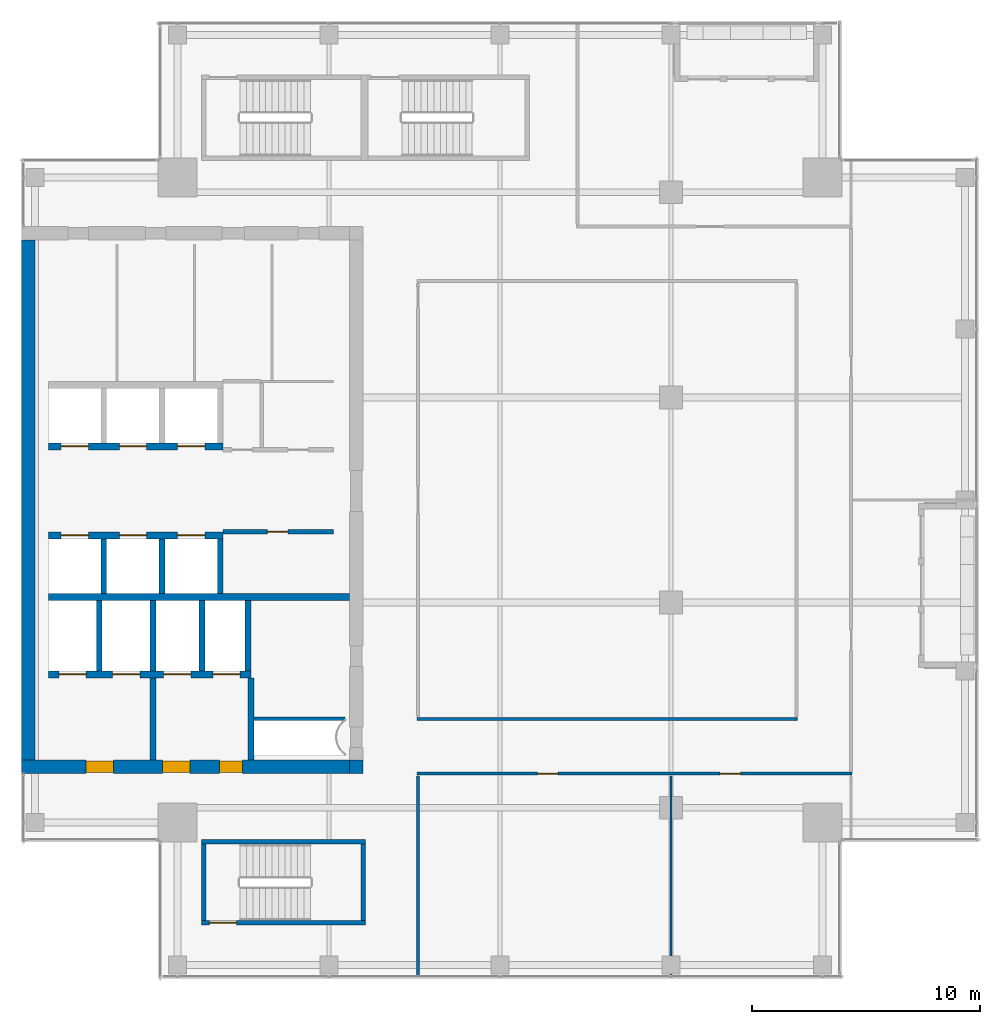
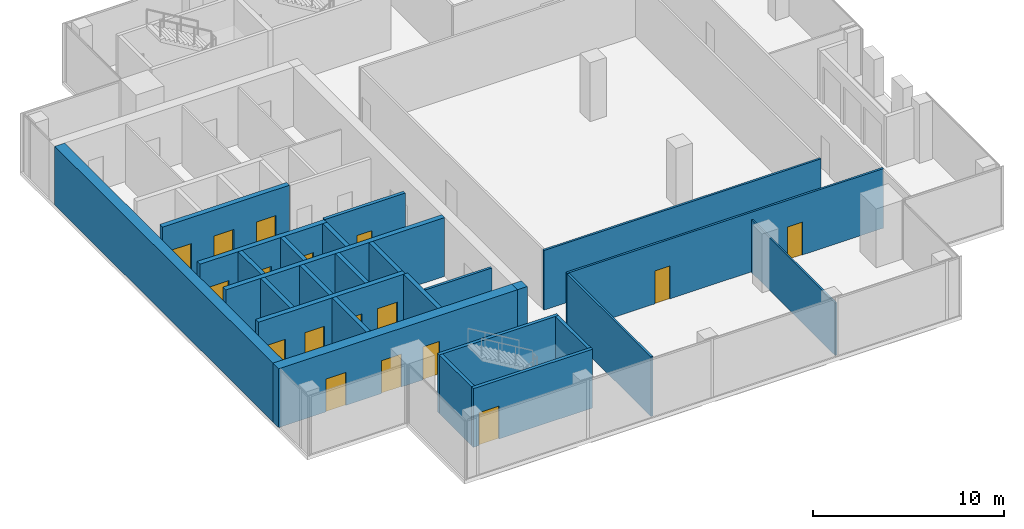
# One storey, part 25 of 29: 26 walls, 17 doors, 17 openings.
"""IFC4 building model written with IfcOpenShell, lengths in metres."""

from ifc_helpers import new_model, si_unit, direction, frame, frame_2d, origin, place, context, subcontext, project, spatial, rectangle, extrude, source, transform, mapped, material, layer, layer_set, type_object, element, fill, save


model = new_model("IFC4")

# Units and contexts
model_context = context("Model", 3, precision=1e-05, world=origin(), true_north=direction((0.0, 1.0)))
body_context = subcontext(model_context, "Body", "Model", "MODEL_VIEW")
ifc_project = project(units=[si_unit("LENGTHUNIT", "METRE"), si_unit("AREAUNIT", "SQUARE_METRE"), si_unit("VOLUMEUNIT", "CUBIC_METRE"), si_unit("PLANEANGLEUNIT", "RADIAN"), si_unit("MASSUNIT", "GRAM", prefix="KILO")], contexts=[model_context])

# Site, building, storey
site_placement = place(None, origin())
site = spatial("IfcSite", under=ifc_project, at=site_placement, CompositionType="ELEMENT")
building_placement = place(site_placement, origin())
building = spatial("IfcBuilding", under=site, at=building_placement, Name="Khomas Fold Tower", CompositionType="ELEMENT")
storey_placement = place(building_placement, frame((0.0, 0.0, 322.199951171875)))
storey = spatial("IfcBuildingStorey", under=building, at=storey_placement, Name="L73", CompositionType="ELEMENT", Elevation=322.199951171875)

# Wall
ifc_material_1 = material(Name="Concrete C50/60", Category="concrete")
ifc_layer_1 = layer(ifc_material_1, 0.199951171875)
ifc_layer_set_1 = layer_set([ifc_layer_1], Name="Concrete C50/60")
wall_type_1 = type_object("IfcWallType", Name="Stair wall 200", PredefinedType="SHEAR", material=ifc_layer_set_1)
shared_shape_1 = source(origin(), body_context, "Body", "SweptSolid", [
    extrude(rectangle(XDim=7.2001953125, YDim=0.199951171875, at=frame_2d((3.60009765625, 0.0))), origin(), (0.0, 0.0, 1.0), 3.75),
])
wall_1_placement = place(storey_placement, frame((13.89990234375, 12.0, 0.0), z_axis=(0.0, 0.0, 1.0), x_axis=(1.0, 0.0, 0.0)))
element("IfcWall", 1, at=wall_1_placement, inside=storey, type_object=wall_type_1, Name="Stair wall SW-ST2-NH", PredefinedType="SHEAR", context=body_context, shape_type="MappedRepresentation", body=[
    mapped(shared_shape_1, transform((0.0, 0.0, 0.0))),
])

# Wall, opening, door
wall_2_placement = place(storey_placement, frame((13.89990234375, 8.449951171875, 0.0), z_axis=(0.0, 0.0, 1.0), x_axis=(1.0, 0.0, 0.0)))
wall_2 = element("IfcWall", 2, at=wall_2_placement, inside=storey, type_object=wall_type_1, Name="Stair wall SW-ST2-S", PredefinedType="SHEAR", context=body_context, shape_type="MappedRepresentation", body=[
    mapped(shared_shape_1, transform((0.0, 0.0, 0.0))),
])
shared_shape_2 = source(origin(), body_context, "Body", "SweptSolid", [
    extrude(rectangle(XDim=1.199951171875, YDim=2.10009765625, at=frame_2d((0.60009765625, 1.050048828125))), frame((0.0, 0.10986328125, 0.0), z_axis=(0.0, -1.0, 0.0), x_axis=(1.0, 0.0, 0.0)), (0.0, 0.0, 1.0), 0.219970703125),
])
opening_1_placement = place(wall_2_placement, frame((0.35009765625, 0.0, 0.0)))
opening_1 = element("IfcOpeningElement", 3, at=opening_1_placement, cuts=wall_2, Name="Opening SD-ST2", PredefinedType="OPENING", context=body_context, shape_type="MappedRepresentation", body=[
    mapped(shared_shape_2, transform((0.0, 0.0, 0.0))),
])
ifc_material_2 = material(Name="Steel door leaf", Category="steel")
door_type_1 = type_object("IfcDoorType", Name="Stair door 1200x2100 right-hand", OperationType="SINGLE_SWING_RIGHT", PredefinedType="DOOR", material=ifc_material_2)
shared_shape_3 = source(origin(), body_context, "Body", "SweptSolid", [
    extrude(rectangle(XDim=1.199951171875, YDim=2.10009765625, at=frame_2d((0.60009765625, 1.050048828125))), frame((0.0, 0.02490234375, 0.0), z_axis=(0.0, -1.0, 0.0), x_axis=(1.0, 0.0, 0.0)), (0.0, 0.0, 1.0), 0.050048828125),
])
door_1_placement = place(opening_1_placement, origin())
door_1 = element("IfcDoor", 4, at=door_1_placement, inside=storey, type_object=door_type_1, Name="Stair door", OperationType="SINGLE_SWING_RIGHT", OverallHeight=2.10009765625, OverallWidth=1.199951171875, PredefinedType="DOOR", context=body_context, shape_type="MappedRepresentation", body=[
    mapped(shared_shape_3, transform((0.0, 0.0, 0.0))),
])
fill(opening_1, door_1)

# Walls
shared_shape_4 = source(origin(), body_context, "Body", "SweptSolid", [
    extrude(rectangle(XDim=3.349853515625, YDim=0.199951171875, at=frame_2d((1.6748046875, 0.0))), origin(), (0.0, 0.0, 1.0), 3.75),
])
for number, where, z_axis, x_axis, name in (
    (5, (21.0, 8.550048828125, 0.0), (0.0, 0.0, 1.0), (0.0, 1.0, 0.0), "Stair wall SW-ST2-E"),
    (6, (14.0, 8.550048828125, 0.0), (0.0, 0.0, 1.0), (0.0, 1.0, 0.0), "Stair wall SW-ST2-W"),
):
    element("IfcWall", number, at=place(storey_placement, frame(where, z_axis=z_axis, x_axis=x_axis)), inside=storey, type_object=wall_type_1, Name=name, PredefinedType="SHEAR", context=body_context, shape_type="MappedRepresentation", body=[
        mapped(shared_shape_4, transform((0.0, 0.0, 0.0))),
    ])
ifc_material_3 = material(Name="Concrete C50/60", Category="concrete")
ifc_layer_2 = layer(ifc_material_3, 0.25)
ifc_layer_set_2 = layer_set([ifc_layer_2], Name="Concrete C50/60")
wall_type_2 = type_object("IfcWallType", Name="Shaft wall 250", PredefinedType="STANDARD", material=ifc_layer_set_2)
shared_shape_5 = source(origin(), body_context, "Body", "SweptSolid", [
    extrude(rectangle(XDim=3.10009765625, YDim=0.25, at=frame_2d((1.550048828125, 0.0))), origin(), (0.0, 0.0, 1.0), 3.75),
])
for number, where, z_axis, x_axis, name in (
    (7, (9.425048828125, 19.5, 0.0), (0.0, 0.0, 1.0), (0.0, 1.0, 0.0), "Core wall SW-FS-P1"),
    (8, (11.77490234375, 19.5, 0.0), (0.0, 0.0, 1.0), (0.0, 1.0, 0.0), "Core wall SW-FS-P2"),
    (9, (13.925048828125, 19.5, 0.0), (0.0, 0.0, 1.0), (0.0, 1.0, 0.0), "Core wall SW-FS-P3"),
    (10, (15.949951171875, 19.5, 0.0), (0.0, 0.0, 1.0), (0.0, 1.0, 0.0), "Core wall SW-FS-PE"),
):
    element("IfcWall", number, at=place(storey_placement, frame(where, z_axis=z_axis, x_axis=x_axis)), inside=storey, type_object=wall_type_2, Name=name, PredefinedType="STANDARD", context=body_context, shape_type="MappedRepresentation", body=[
        mapped(shared_shape_5, transform((0.0, 0.0, 0.0))),
    ])
shared_shape_6 = source(origin(), body_context, "Body", "SweptSolid", [
    extrude(rectangle(XDim=2.400146484375, YDim=0.25, at=frame_2d((1.2001953125, 0.0))), origin(), (0.0, 0.0, 1.0), 3.75),
])
for number, where, z_axis, x_axis, name in (
    (11, (9.625, 22.89990234375, 0.0), (0.0, 0.0, 1.0), (0.0, 1.0, 0.0), "Core wall SW-HRS-P1"),
    (12, (12.175048828125, 22.89990234375, 0.0), (0.0, 0.0, 1.0), (0.0, 1.0, 0.0), "Core wall SW-HRS-P2"),
    (13, (14.72509765625, 22.89990234375, 0.0), (0.0, 0.0, 1.0), (0.0, 1.0, 0.0), "Core wall SW-HRS-PE"),
):
    element("IfcWall", number, at=place(storey_placement, frame(where, z_axis=z_axis, x_axis=x_axis)), inside=storey, type_object=wall_type_2, Name=name, PredefinedType="STANDARD", context=body_context, shape_type="MappedRepresentation", body=[
        mapped(shared_shape_6, transform((0.0, 0.0, 0.0))),
    ])

# Wall, openings, doors
ifc_material_4 = material(Name="Concrete C50/60", Category="concrete")
ifc_layer_3 = layer(ifc_material_4, 0.60009765625)
ifc_layer_set_3 = layer_set([ifc_layer_3], Name="Concrete C50/60")
wall_type_3 = type_object("IfcWallType", Name="Core wall 600", PredefinedType="SHEAR", material=ifc_layer_set_3)
shared_shape_7 = source(origin(), body_context, "Body", "SweptSolid", [
    extrude(rectangle(XDim=14.39990234375, YDim=0.60009765625, at=frame_2d((7.199951171875, 0.0))), origin(), (0.0, 0.0, 1.0), 3.75),
])
wall_3_placement = place(storey_placement, frame((6.0, 15.300048828125, 0.0), z_axis=(0.0, 0.0, 1.0), x_axis=(1.0, 0.0, 0.0)))
wall_3 = element("IfcWall", 14, at=wall_3_placement, inside=storey, type_object=wall_type_3, Name="Core wall CW-U-S-L63", PredefinedType="SHEAR", context=body_context, shape_type="MappedRepresentation", body=[
    mapped(shared_shape_7, transform((0.0, 0.0, 0.0))),
])
shared_shape_8 = source(origin(), body_context, "Body", "SweptSolid", [
    extrude(rectangle(XDim=1.199951171875, YDim=2.10009765625, at=frame_2d((0.60009765625, 1.050048828125))), frame((0.0, 0.31005859375, 0.0), z_axis=(0.0, -1.0, 0.0), x_axis=(1.0, 0.0, 0.0)), (0.0, 0.0, 1.0), 0.6201171875),
])
opening_2_placement = place(wall_3_placement, frame((6.199951171875, 0.0, 0.0)))
opening_2 = element("IfcOpeningElement", 15, at=opening_2_placement, cuts=wall_3, Name="Opening 0009", PredefinedType="OPENING", context=body_context, shape_type="MappedRepresentation", body=[
    mapped(shared_shape_8, transform((0.0, 0.0, 0.0))),
])
opening_3_placement = place(wall_3_placement, frame((2.85009765625, 0.0, 0.0)))
opening_3 = element("IfcOpeningElement", 16, at=opening_3_placement, cuts=wall_3, Name="Opening 0009", PredefinedType="OPENING", context=body_context, shape_type="MappedRepresentation", body=[
    mapped(shared_shape_8, transform((0.0, 0.0, 0.0))),
])
shared_shape_9 = source(origin(), body_context, "Body", "SweptSolid", [
    extrude(rectangle(XDim=1.0, YDim=2.10009765625, at=frame_2d((0.5, 1.050048828125))), frame((0.0, 0.31005859375, 0.0), z_axis=(0.0, -1.0, 0.0), x_axis=(1.0, 0.0, 0.0)), (0.0, 0.0, 1.0), 0.6201171875),
])
opening_4_placement = place(wall_3_placement, frame((8.699951171875, 0.0, 0.0)))
opening_4 = element("IfcOpeningElement", 17, at=opening_4_placement, cuts=wall_3, Name="Opening 0010", PredefinedType="OPENING", context=body_context, shape_type="MappedRepresentation", body=[
    mapped(shared_shape_9, transform((0.0, 0.0, 0.0))),
])
ifc_material_5 = material(Name="Steel door leaf", Category="steel")
door_type_2 = type_object("IfcDoorType", Name="Stair door 1000x2100 right-hand", OperationType="SINGLE_SWING_RIGHT", PredefinedType="DOOR", material=ifc_material_5)
shared_shape_10 = source(origin(), body_context, "Body", "SweptSolid", [
    extrude(rectangle(XDim=1.0, YDim=2.10009765625, at=frame_2d((0.5, 1.050048828125))), frame((0.0, 0.25, 0.0), z_axis=(0.0, -1.0, 0.0), x_axis=(1.0, 0.0, 0.0)), (0.0, 0.0, 1.0), 0.5),
])
door_2_placement = place(opening_4_placement, origin())
door_2 = element("IfcDoor", 18, at=door_2_placement, inside=storey, type_object=door_type_2, Name="Stair door", OperationType="SINGLE_SWING_RIGHT", OverallHeight=2.10009765625, OverallWidth=1.0, PredefinedType="DOOR", context=body_context, shape_type="MappedRepresentation", body=[
    mapped(shared_shape_10, transform((0.0, 0.0, 0.0))),
])
fill(opening_4, door_2)
ifc_material_6 = material(Name="Steel door leaf", Category="steel")
door_type_3 = type_object("IfcDoorType", Name="Lobby door 1200x2100 right-hand", OperationType="SINGLE_SWING_RIGHT", PredefinedType="DOOR", material=ifc_material_6)
shared_shape_11 = source(origin(), body_context, "Body", "SweptSolid", [
    extrude(rectangle(XDim=1.199951171875, YDim=2.10009765625, at=frame_2d((0.60009765625, 1.050048828125))), frame((0.0, 0.25, 0.0), z_axis=(0.0, -1.0, 0.0), x_axis=(1.0, 0.0, 0.0)), (0.0, 0.0, 1.0), 0.5),
])
door_3_placement = place(opening_2_placement, origin())
door_3 = element("IfcDoor", 19, at=door_3_placement, inside=storey, type_object=door_type_3, Name="Lobby door", OperationType="SINGLE_SWING_RIGHT", OverallHeight=2.10009765625, OverallWidth=1.199951171875, PredefinedType="DOOR", context=body_context, shape_type="MappedRepresentation", body=[
    mapped(shared_shape_11, transform((0.0, 0.0, 0.0))),
])
fill(opening_2, door_3)
door_4_placement = place(opening_3_placement, origin())
door_4 = element("IfcDoor", 20, at=door_4_placement, inside=storey, type_object=door_type_3, Name="Lobby door", OperationType="SINGLE_SWING_RIGHT", OverallHeight=2.10009765625, OverallWidth=1.199951171875, PredefinedType="DOOR", context=body_context, shape_type="MappedRepresentation", body=[
    mapped(shared_shape_11, transform((0.0, 0.0, 0.0))),
])
fill(opening_3, door_4)

# Walls
ifc_material_7 = material(Name="Concrete C50/60", Category="concrete")
ifc_layer_4 = layer(ifc_material_7, 0.60009765625)
ifc_layer_set_4 = layer_set([ifc_layer_4], Name="Concrete C50/60")
wall_type_4 = type_object("IfcWallType", Name="Core corner wall 600", PredefinedType="SHEAR", material=ifc_layer_set_4)
shared_shape_12 = source(origin(), body_context, "Body", "SweptSolid", [
    extrude(rectangle(XDim=0.60009765625, YDim=0.60009765625, at=frame_2d((0.300048828125, 0.0))), origin(), (0.0, 0.0, 1.0), 3.75),
])
wall_4_placement = place(storey_placement, frame((20.39990234375, 15.300048828125, 0.0), z_axis=(0.0, 0.0, 1.0), x_axis=(1.0, 0.0, 0.0)))
element("IfcWall", 21, at=wall_4_placement, inside=storey, type_object=wall_type_4, Name="Core wall CW-U-SE-L63", PredefinedType="SHEAR", context=body_context, shape_type="MappedRepresentation", body=[
    mapped(shared_shape_12, transform((0.0, 0.0, 0.0))),
])
shared_shape_13 = source(origin(), body_context, "Body", "SweptSolid", [
    extrude(rectangle(XDim=22.7998046875, YDim=0.60009765625, at=frame_2d((11.39990234375, 0.0))), origin(), (0.0, 0.0, 1.0), 3.75),
])
wall_5_placement = place(storey_placement, frame((6.300048828125, 15.60009765625, 0.0), z_axis=(0.0, 0.0, 1.0), x_axis=(0.0, 1.0, 0.0)))
element("IfcWall", 22, at=wall_5_placement, inside=storey, type_object=wall_type_3, Name="Core wall CW-U-W-L63", PredefinedType="SHEAR", context=body_context, shape_type="MappedRepresentation", body=[
    mapped(shared_shape_13, transform((0.0, 0.0, 0.0))),
])
ifc_material_8 = material(Name="Concrete C50/60", Category="concrete")
ifc_layer_5 = layer(ifc_material_8, 0.300048828125)
ifc_layer_set_5 = layer_set([ifc_layer_5], Name="Concrete C50/60")
wall_type_5 = type_object("IfcWallType", Name="Shaft wall 300", PredefinedType="STANDARD", material=ifc_layer_set_5)
shared_shape_14 = source(origin(), body_context, "Body", "SweptSolid", [
    extrude(rectangle(XDim=13.199951171875, YDim=0.300048828125, at=frame_2d((6.60009765625, 0.0))), origin(), (0.0, 0.0, 1.0), 3.75),
])
wall_6_placement = place(storey_placement, frame((7.199951171875, 22.75, 0.0), z_axis=(0.0, 0.0, 1.0), x_axis=(1.0, 0.0, 0.0)))
element("IfcWall", 23, at=wall_6_placement, inside=storey, type_object=wall_type_5, Name="Core wall SW-FS-B", PredefinedType="STANDARD", context=body_context, shape_type="MappedRepresentation", body=[
    mapped(shared_shape_14, transform((0.0, 0.0, 0.0))),
])

# Wall, openings, doors
shared_shape_15 = source(origin(), body_context, "Body", "SweptSolid", [
    extrude(rectangle(XDim=8.875, YDim=0.300048828125, at=frame_2d((4.4375, 0.0))), origin(), (0.0, 0.0, 1.0), 3.75),
])
wall_7_placement = place(storey_placement, frame((7.199951171875, 19.35009765625, 0.0), z_axis=(0.0, 0.0, 1.0), x_axis=(1.0, 0.0, 0.0)))
wall_7 = element("IfcWall", 24, at=wall_7_placement, inside=storey, type_object=wall_type_5, Name="Core wall SW-FS-F", PredefinedType="STANDARD", context=body_context, shape_type="MappedRepresentation", body=[
    mapped(shared_shape_15, transform((0.0, 0.0, 0.0))),
])
shared_shape_16 = source(origin(), body_context, "Body", "SweptSolid", [
    extrude(rectangle(XDim=1.199951171875, YDim=2.10009765625, at=frame_2d((0.60009765625, 1.050048828125))), frame((0.0, 0.159912109375, 0.0), z_axis=(0.0, -1.0, 0.0), x_axis=(1.0, 0.0, 0.0)), (0.0, 0.0, 1.0), 0.320068359375),
])
opening_5_placement = place(wall_7_placement, frame((0.449951171875, 0.0, 0.0)))
opening_5 = element("IfcOpeningElement", 25, at=opening_5_placement, cuts=wall_7, Name="Opening LD-SV1", PredefinedType="OPENING", context=body_context, shape_type="MappedRepresentation", body=[
    mapped(shared_shape_16, transform((0.0, 0.0, 0.0))),
])
opening_6_placement = place(wall_7_placement, frame((2.800048828125, 0.0, 0.0)))
opening_6 = element("IfcOpeningElement", 26, at=opening_6_placement, cuts=wall_7, Name="Opening LD-SV2", PredefinedType="OPENING", context=body_context, shape_type="MappedRepresentation", body=[
    mapped(shared_shape_16, transform((0.0, 0.0, 0.0))),
])
opening_7_placement = place(wall_7_placement, frame((5.050048828125, 0.0, 0.0)))
opening_7 = element("IfcOpeningElement", 27, at=opening_7_placement, cuts=wall_7, Name="Opening LD-FF1", PredefinedType="OPENING", context=body_context, shape_type="MappedRepresentation", body=[
    mapped(shared_shape_16, transform((0.0, 0.0, 0.0))),
])
opening_8_placement = place(wall_7_placement, frame((7.199951171875, 0.0, 0.0)))
opening_8 = element("IfcOpeningElement", 28, at=opening_8_placement, cuts=wall_7, Name="Opening LD-FF2", PredefinedType="OPENING", context=body_context, shape_type="MappedRepresentation", body=[
    mapped(shared_shape_16, transform((0.0, 0.0, 0.0))),
])
ifc_material_9 = material(Name="Steel door leaf", Category="steel")
door_type_4 = type_object("IfcDoorType", Name="Landing door 1200x2100", OperationType="DOUBLE_DOOR_SLIDING", PredefinedType="DOOR", material=ifc_material_9)
door_5_placement = place(opening_5_placement, origin())
door_5 = element("IfcDoor", 29, at=door_5_placement, inside=storey, type_object=door_type_4, Name="Lift landing door", OperationType="DOUBLE_DOOR_SLIDING", OverallHeight=2.10009765625, OverallWidth=1.199951171875, PredefinedType="DOOR", context=body_context, shape_type="MappedRepresentation", body=[
    mapped(shared_shape_3, transform((0.0, 0.0, 0.0))),
])
fill(opening_5, door_5)
door_6_placement = place(opening_6_placement, origin())
door_6 = element("IfcDoor", 30, at=door_6_placement, inside=storey, type_object=door_type_4, Name="Lift landing door", OperationType="DOUBLE_DOOR_SLIDING", OverallHeight=2.10009765625, OverallWidth=1.199951171875, PredefinedType="DOOR", context=body_context, shape_type="MappedRepresentation", body=[
    mapped(shared_shape_3, transform((0.0, 0.0, 0.0))),
])
fill(opening_6, door_6)
door_7_placement = place(opening_7_placement, origin())
door_7 = element("IfcDoor", 31, at=door_7_placement, inside=storey, type_object=door_type_4, Name="Lift landing door", OperationType="DOUBLE_DOOR_SLIDING", OverallHeight=2.10009765625, OverallWidth=1.199951171875, PredefinedType="DOOR", context=body_context, shape_type="MappedRepresentation", body=[
    mapped(shared_shape_3, transform((0.0, 0.0, 0.0))),
])
fill(opening_7, door_7)
door_8_placement = place(opening_8_placement, origin())
door_8 = element("IfcDoor", 32, at=door_8_placement, inside=storey, type_object=door_type_4, Name="Lift landing door", OperationType="DOUBLE_DOOR_SLIDING", OverallHeight=2.10009765625, OverallWidth=1.199951171875, PredefinedType="DOOR", context=body_context, shape_type="MappedRepresentation", body=[
    mapped(shared_shape_3, transform((0.0, 0.0, 0.0))),
])
fill(opening_8, door_8)

shared_shape_17 = source(origin(), body_context, "Body", "SweptSolid", [
    extrude(rectangle(XDim=7.650146484375, YDim=0.300048828125, at=frame_2d((3.8251953125, 0.0))), origin(), (0.0, 0.0, 1.0), 3.75),
])
wall_8_placement = place(storey_placement, frame((7.199951171875, 29.35009765625, 0.0), z_axis=(0.0, 0.0, 1.0), x_axis=(1.0, 0.0, 0.0)))
wall_8 = element("IfcWall", 33, at=wall_8_placement, inside=storey, type_object=wall_type_5, Name="Core wall SW-HRN-F", PredefinedType="STANDARD", context=body_context, shape_type="MappedRepresentation", body=[
    mapped(shared_shape_17, transform((0.0, 0.0, 0.0))),
])
opening_9_placement = place(wall_8_placement, frame((0.550048828125, 0.0, 0.0)))
opening_9 = element("IfcOpeningElement", 34, at=opening_9_placement, cuts=wall_8, Name="Opening LD-HR4", PredefinedType="OPENING", context=body_context, shape_type="MappedRepresentation", body=[
    mapped(shared_shape_16, transform((0.0, 0.0, 0.0))),
])
opening_10_placement = place(wall_8_placement, frame((3.10009765625, 0.0, 0.0)))
opening_10 = element("IfcOpeningElement", 35, at=opening_10_placement, cuts=wall_8, Name="Opening LD-HR5", PredefinedType="OPENING", context=body_context, shape_type="MappedRepresentation", body=[
    mapped(shared_shape_16, transform((0.0, 0.0, 0.0))),
])
opening_11_placement = place(wall_8_placement, frame((5.64990234375, 0.0, 0.0)))
opening_11 = element("IfcOpeningElement", 36, at=opening_11_placement, cuts=wall_8, Name="Opening LD-HR6", PredefinedType="OPENING", context=body_context, shape_type="MappedRepresentation", body=[
    mapped(shared_shape_16, transform((0.0, 0.0, 0.0))),
])
door_9_placement = place(opening_9_placement, origin())
door_9 = element("IfcDoor", 37, at=door_9_placement, inside=storey, type_object=door_type_4, Name="Lift landing door", OperationType="DOUBLE_DOOR_SLIDING", OverallHeight=2.10009765625, OverallWidth=1.199951171875, PredefinedType="DOOR", context=body_context, shape_type="MappedRepresentation", body=[
    mapped(shared_shape_3, transform((0.0, 0.0, 0.0))),
])
fill(opening_9, door_9)
door_10_placement = place(opening_10_placement, origin())
door_10 = element("IfcDoor", 38, at=door_10_placement, inside=storey, type_object=door_type_4, Name="Lift landing door", OperationType="DOUBLE_DOOR_SLIDING", OverallHeight=2.10009765625, OverallWidth=1.199951171875, PredefinedType="DOOR", context=body_context, shape_type="MappedRepresentation", body=[
    mapped(shared_shape_3, transform((0.0, 0.0, 0.0))),
])
fill(opening_10, door_10)
door_11_placement = place(opening_11_placement, origin())
door_11 = element("IfcDoor", 39, at=door_11_placement, inside=storey, type_object=door_type_4, Name="Lift landing door", OperationType="DOUBLE_DOOR_SLIDING", OverallHeight=2.10009765625, OverallWidth=1.199951171875, PredefinedType="DOOR", context=body_context, shape_type="MappedRepresentation", body=[
    mapped(shared_shape_3, transform((0.0, 0.0, 0.0))),
])
fill(opening_11, door_11)

wall_9_placement = place(storey_placement, frame((7.199951171875, 25.449951171875, 0.0), z_axis=(0.0, 0.0, 1.0), x_axis=(1.0, 0.0, 0.0)))
wall_9 = element("IfcWall", 40, at=wall_9_placement, inside=storey, type_object=wall_type_5, Name="Core wall SW-HRS-F", PredefinedType="STANDARD", context=body_context, shape_type="MappedRepresentation", body=[
    mapped(shared_shape_17, transform((0.0, 0.0, 0.0))),
])
opening_12_placement = place(wall_9_placement, frame((0.550048828125, 0.0, 0.0)))
opening_12 = element("IfcOpeningElement", 41, at=opening_12_placement, cuts=wall_9, Name="Opening LD-HR1", PredefinedType="OPENING", context=body_context, shape_type="MappedRepresentation", body=[
    mapped(shared_shape_16, transform((0.0, 0.0, 0.0))),
])
opening_13_placement = place(wall_9_placement, frame((3.10009765625, 0.0, 0.0)))
opening_13 = element("IfcOpeningElement", 42, at=opening_13_placement, cuts=wall_9, Name="Opening LD-HR2", PredefinedType="OPENING", context=body_context, shape_type="MappedRepresentation", body=[
    mapped(shared_shape_16, transform((0.0, 0.0, 0.0))),
])
opening_14_placement = place(wall_9_placement, frame((5.64990234375, 0.0, 0.0)))
opening_14 = element("IfcOpeningElement", 43, at=opening_14_placement, cuts=wall_9, Name="Opening LD-HR3", PredefinedType="OPENING", context=body_context, shape_type="MappedRepresentation", body=[
    mapped(shared_shape_16, transform((0.0, 0.0, 0.0))),
])
door_12_placement = place(opening_12_placement, origin())
door_12 = element("IfcDoor", 44, at=door_12_placement, inside=storey, type_object=door_type_4, Name="Lift landing door", OperationType="DOUBLE_DOOR_SLIDING", OverallHeight=2.10009765625, OverallWidth=1.199951171875, PredefinedType="DOOR", context=body_context, shape_type="MappedRepresentation", body=[
    mapped(shared_shape_3, transform((0.0, 0.0, 0.0))),
])
fill(opening_12, door_12)
door_13_placement = place(opening_13_placement, origin())
door_13 = element("IfcDoor", 45, at=door_13_placement, inside=storey, type_object=door_type_4, Name="Lift landing door", OperationType="DOUBLE_DOOR_SLIDING", OverallHeight=2.10009765625, OverallWidth=1.199951171875, PredefinedType="DOOR", context=body_context, shape_type="MappedRepresentation", body=[
    mapped(shared_shape_3, transform((0.0, 0.0, 0.0))),
])
fill(opening_13, door_13)
door_14_placement = place(opening_14_placement, origin())
door_14 = element("IfcDoor", 46, at=door_14_placement, inside=storey, type_object=door_type_4, Name="Lift landing door", OperationType="DOUBLE_DOOR_SLIDING", OverallHeight=2.10009765625, OverallWidth=1.199951171875, PredefinedType="DOOR", context=body_context, shape_type="MappedRepresentation", body=[
    mapped(shared_shape_3, transform((0.0, 0.0, 0.0))),
])
fill(opening_14, door_14)

# Walls
ifc_material_10 = material(Name="Concrete C50/60", Category="concrete")
ifc_layer_6 = layer(ifc_material_10, 0.25)
ifc_layer_set_6 = layer_set([ifc_layer_6], Name="Concrete C50/60")
wall_type_6 = type_object("IfcWallType", Name="Lobby wall 250", PredefinedType="STANDARD", material=ifc_layer_set_6)
shared_shape_18 = source(origin(), body_context, "Body", "SweptSolid", [
    extrude(rectangle(XDim=3.599853515625, YDim=0.25, at=frame_2d((1.7998046875, 0.0))), origin(), (0.0, 0.0, 1.0), 3.75),
])
for number, where, z_axis, x_axis, name in (
    (47, (16.074951171875, 15.60009765625, 0.0), (0.0, 0.0, 1.0), (0.0, 1.0, 0.0), "Core wall SW-FS-LOB-E"),
    (48, (11.77490234375, 15.60009765625, 0.0), (0.0, 0.0, 1.0), (0.0, 1.0, 0.0), "Core wall SW-FS-SEP"),
):
    element("IfcWall", number, at=place(storey_placement, frame(where, z_axis=z_axis, x_axis=x_axis)), inside=storey, type_object=wall_type_6, Name=name, PredefinedType="STANDARD", context=body_context, shape_type="MappedRepresentation", body=[
        mapped(shared_shape_18, transform((0.0, 0.0, 0.0))),
    ])
ifc_material_11 = material(Name="Plasterboard fire partition")
ifc_layer_7 = layer(ifc_material_11, 0.14990234375)
ifc_layer_set_7 = layer_set([ifc_layer_7], Name="Plasterboard fire partition")
wall_type_7 = type_object("IfcWallType", Name="Plant room wall PW3 150", PredefinedType="PARTITIONING", material=ifc_layer_set_7)
shared_shape_19 = source(origin(), body_context, "Body", "SweptSolid", [
    extrude(rectangle(XDim=4.0, YDim=0.14990234375, at=frame_2d((2.0, 0.0))), origin(), (0.0, 0.0, 1.0), 3.800048828125),
])
wall_10_placement = place(storey_placement, frame((16.199951171875, 17.39990234375, 0.0), z_axis=(0.0, 0.0, 1.0), x_axis=(1.0, 0.0, 0.0)))
element("IfcWall", 49, at=wall_10_placement, inside=storey, type_object=wall_type_7, Name="Plant room wall", PredefinedType="PARTITIONING", context=body_context, shape_type="MappedRepresentation", body=[
    mapped(shared_shape_19, transform((0.0, 0.0, 0.0))),
])

# Wall, opening, door
ifc_material_12 = material(Name="Concrete C30/37", Category="concrete")
ifc_layer_8 = layer(ifc_material_12, 0.199951171875)
ifc_layer_set_8 = layer_set([ifc_layer_8], Name="Concrete C30/37")
wall_type_8 = type_object("IfcWallType", Name="Lobby wall PW4 200", PredefinedType="PARTITIONING", material=ifc_layer_set_8)
shared_shape_20 = source(origin(), body_context, "Body", "SweptSolid", [
    extrude(rectangle(XDim=4.849853515625, YDim=0.199951171875, at=frame_2d((2.4248046875, 0.0))), origin(), (0.0, 0.0, 1.0), 3.800048828125),
])
wall_11_placement = place(storey_placement, frame((14.85009765625, 25.60009765625, 0.0), z_axis=(0.0, 0.0, 1.0), x_axis=(1.0, 0.0, 0.0)))
wall_11 = element("IfcWall", 50, at=wall_11_placement, inside=storey, type_object=wall_type_8, Name="Lobby wall", PredefinedType="PARTITIONING", context=body_context, shape_type="MappedRepresentation", body=[
    mapped(shared_shape_20, transform((0.0, 0.0, 0.0))),
])
shared_shape_21 = source(origin(), body_context, "Body", "SweptSolid", [
    extrude(rectangle(XDim=0.89990234375, YDim=2.10009765625, at=frame_2d((0.449951171875, 1.050048828125))), frame((0.0, 0.10986328125, 0.0), z_axis=(0.0, -1.0, 0.0), x_axis=(1.0, 0.0, 0.0)), (0.0, 0.0, 1.0), 0.219970703125),
])
opening_15_placement = place(wall_11_placement, frame((1.949951171875, 0.0, 0.0)))
opening_15 = element("IfcOpeningElement", 51, at=opening_15_placement, cuts=wall_11, Name="Opening 0003", PredefinedType="OPENING", context=body_context, shape_type="MappedRepresentation", body=[
    mapped(shared_shape_21, transform((0.0, 0.0, 0.0))),
])
ifc_material_13 = material(Name="Steel door leaf", Category="steel")
door_type_5 = type_object("IfcDoorType", Name="Plant room door 900x2100 right-hand", OperationType="SINGLE_SWING_RIGHT", PredefinedType="DOOR", material=ifc_material_13)
shared_shape_22 = source(origin(), body_context, "Body", "SweptSolid", [
    extrude(rectangle(XDim=0.89990234375, YDim=2.10009765625, at=frame_2d((0.449951171875, 1.050048828125))), frame((0.0, 0.02490234375, 0.0), z_axis=(0.0, -1.0, 0.0), x_axis=(1.0, 0.0, 0.0)), (0.0, 0.0, 1.0), 0.050048828125),
])
door_15_placement = place(opening_15_placement, origin())
door_15 = element("IfcDoor", 52, at=door_15_placement, inside=storey, type_object=door_type_5, Name="Plant room door", OperationType="SINGLE_SWING_RIGHT", OverallHeight=2.10009765625, OverallWidth=0.89990234375, PredefinedType="DOOR", context=body_context, shape_type="MappedRepresentation", body=[
    mapped(shared_shape_22, transform((0.0, 0.0, 0.0))),
])
fill(opening_15, door_15)

# Walls
ifc_material_14 = material(Name="Plasterboard partition")
ifc_layer_9 = layer(ifc_material_14, 0.125)
ifc_layer_set_9 = layer_set([ifc_layer_9], Name="Plasterboard partition")
wall_type_9 = type_object("IfcWallType", Name="Partition PW2 125", PredefinedType="PARTITIONING", material=ifc_layer_set_9)
shared_shape_23 = source(origin(), body_context, "Body", "SweptSolid", [
    extrude(rectangle(XDim=8.75, YDim=0.125, at=frame_2d((4.375, 0.0))), origin(), (0.0, 0.0, 1.0), 3.800048828125),
])
wall_12_placement = place(storey_placement, frame((23.39990234375, 6.14990234375, 0.0), z_axis=(0.0, 0.0, 1.0), x_axis=(0.0, 1.0, 0.0)))
element("IfcWall", 53, at=wall_12_placement, inside=storey, type_object=wall_type_9, Name="Partition", PredefinedType="PARTITIONING", context=body_context, shape_type="MappedRepresentation", body=[
    mapped(shared_shape_23, transform((0.0, 0.0, 0.0))),
])
ifc_material_15 = material(Name="Plasterboard partition")
ifc_layer_10 = layer(ifc_material_15, 0.10009765625)
ifc_layer_set_10 = layer_set([ifc_layer_10], Name="Plasterboard partition")
wall_type_10 = type_object("IfcWallType", Name="Partition PW1 100", PredefinedType="PARTITIONING", material=ifc_layer_set_10)
shared_shape_24 = source(origin(), body_context, "Body", "SweptSolid", [
    extrude(rectangle(XDim=8.75, YDim=0.10009765625, at=frame_2d((4.375, 0.0))), origin(), (0.0, 0.0, 1.0), 3.35009765625),
])
wall_13_placement = place(storey_placement, frame((34.5, 6.14990234375, 0.0), z_axis=(0.0, 0.0, 1.0), x_axis=(0.0, 1.0, 0.0)))
element("IfcWall", 54, at=wall_13_placement, inside=storey, type_object=wall_type_10, Name="Partition", PredefinedType="PARTITIONING", context=body_context, shape_type="MappedRepresentation", body=[
    mapped(shared_shape_24, transform((0.0, 0.0, 0.0))),
])

# Wall, openings, doors
shared_shape_25 = source(origin(), body_context, "Body", "SweptSolid", [
    extrude(rectangle(XDim=19.099853515625, YDim=0.125, at=frame_2d((9.5498046875, 0.0))), origin(), (0.0, 0.0, 1.0), 3.800048828125),
])
wall_14_placement = place(storey_placement, frame((23.35009765625, 15.0, 0.0), z_axis=(0.0, 0.0, 1.0), x_axis=(1.0, 0.0, 0.0)))
wall_14 = element("IfcWall", 55, at=wall_14_placement, inside=storey, type_object=wall_type_9, Name="Partition", PredefinedType="PARTITIONING", context=body_context, shape_type="MappedRepresentation", body=[
    mapped(shared_shape_25, transform((0.0, 0.0, 0.0))),
])
shared_shape_26 = source(origin(), body_context, "Body", "SweptSolid", [
    extrude(rectangle(XDim=0.89990234375, YDim=2.10009765625, at=frame_2d((0.449951171875, 1.050048828125))), frame((0.0, 0.072509765625, 0.0), z_axis=(0.0, -1.0, 0.0), x_axis=(1.0, 0.0, 0.0)), (0.0, 0.0, 1.0), 0.14501953125),
])
opening_16_placement = place(wall_14_placement, frame((5.300048828125, 0.0, 0.0)))
opening_16 = element("IfcOpeningElement", 56, at=opening_16_placement, cuts=wall_14, Name="Opening 0008", PredefinedType="OPENING", context=body_context, shape_type="MappedRepresentation", body=[
    mapped(shared_shape_26, transform((0.0, 0.0, 0.0))),
])
opening_17_placement = place(wall_14_placement, frame((13.300048828125, 0.0, 0.0)))
opening_17 = element("IfcOpeningElement", 57, at=opening_17_placement, cuts=wall_14, Name="Opening 0007", PredefinedType="OPENING", context=body_context, shape_type="MappedRepresentation", body=[
    mapped(shared_shape_26, transform((0.0, 0.0, 0.0))),
])
ifc_material_16 = material(Name="Timber door leaf", Category="wood")
door_type_6 = type_object("IfcDoorType", Name="Door 900x2100 right-hand", OperationType="SINGLE_SWING_RIGHT", PredefinedType="DOOR", material=ifc_material_16)
door_16_placement = place(opening_16_placement, origin())
door_16 = element("IfcDoor", 58, at=door_16_placement, inside=storey, type_object=door_type_6, Name="Door", OperationType="SINGLE_SWING_RIGHT", OverallHeight=2.10009765625, OverallWidth=0.89990234375, PredefinedType="DOOR", context=body_context, shape_type="MappedRepresentation", body=[
    mapped(shared_shape_22, transform((0.0, 0.0, 0.0))),
])
fill(opening_16, door_16)
ifc_material_17 = material(Name="Timber door leaf", Category="wood")
door_type_7 = type_object("IfcDoorType", Name="Door 900x2100 left-hand", OperationType="SINGLE_SWING_LEFT", PredefinedType="DOOR", material=ifc_material_17)
door_17_placement = place(opening_17_placement, origin())
door_17 = element("IfcDoor", 59, at=door_17_placement, inside=storey, type_object=door_type_7, Name="Door", OperationType="SINGLE_SWING_LEFT", OverallHeight=2.10009765625, OverallWidth=0.89990234375, PredefinedType="DOOR", context=body_context, shape_type="MappedRepresentation", body=[
    mapped(shared_shape_22, transform((0.0, 0.0, 0.0))),
])
fill(opening_17, door_17)

# Wall
shared_shape_27 = source(origin(), body_context, "Body", "SweptSolid", [
    extrude(rectangle(XDim=16.699951171875, YDim=0.125, at=frame_2d((8.35009765625, 0.0))), origin(), (0.0, 0.0, 1.0), 3.800048828125),
])
wall_15_placement = place(storey_placement, frame((23.35009765625, 17.39990234375, 0.0), z_axis=(0.0, 0.0, 1.0), x_axis=(1.0, 0.0, 0.0)))
element("IfcWall", 60, at=wall_15_placement, inside=storey, type_object=wall_type_9, Name="Partition", PredefinedType="PARTITIONING", context=body_context, shape_type="MappedRepresentation", body=[
    mapped(shared_shape_27, transform((0.0, 0.0, 0.0))),
])

save(model, "model.ifc")
